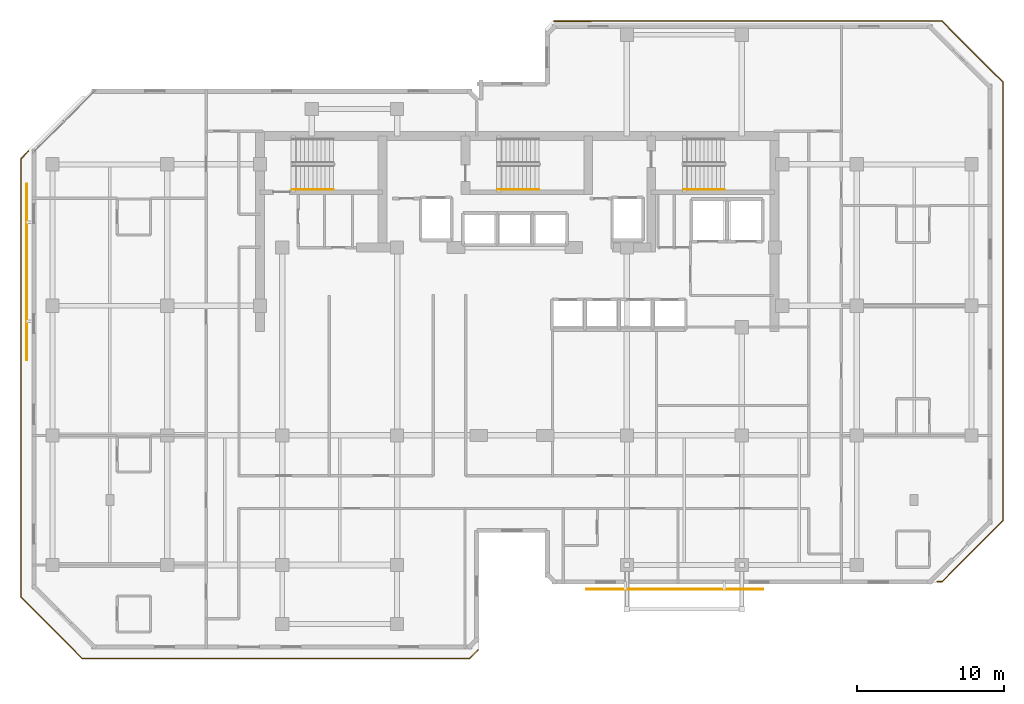
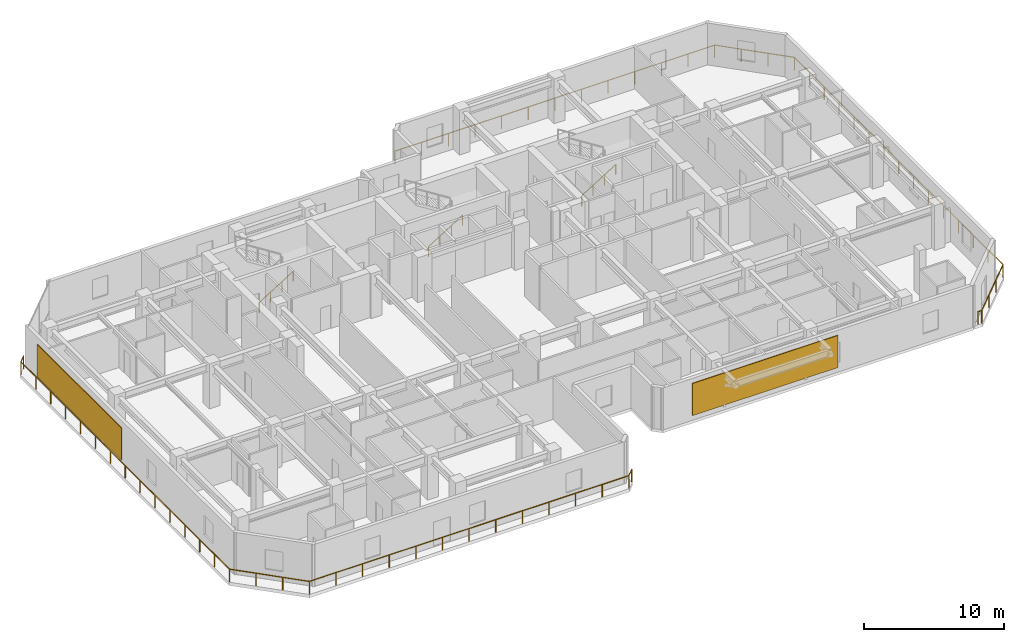
# One storey, part 9 of 10: 5 railings, 2 shading devices.
"""IFC4 building model written with IfcOpenShell, lengths in metres."""

from ifc_helpers import new_model, si_unit, direction, frame, origin, origin_2d, place, context, subcontext, project, spatial, rectangle, circle, extrude, material, layer, layer_set, type_object, element, save


model = new_model("IFC4")

# Units and contexts
model_context = context("Model", 3, precision=1e-05, world=origin(), true_north=direction((0.0, 1.0)))
body_context = subcontext(model_context, "Body", "Model", "MODEL_VIEW")
ifc_project = project(units=[si_unit("LENGTHUNIT", "METRE"), si_unit("AREAUNIT", "SQUARE_METRE"), si_unit("VOLUMEUNIT", "CUBIC_METRE"), si_unit("PLANEANGLEUNIT", "RADIAN"), si_unit("MASSUNIT", "GRAM", prefix="KILO")], contexts=[model_context])

# Site, building, storey
site_placement = place(None, origin())
site = spatial("IfcSite", under=ifc_project, at=site_placement, CompositionType="ELEMENT")
building_placement = place(site_placement, origin())
building = spatial("IfcBuilding", under=site, at=building_placement, Name="Kestravale Grand Hotel", CompositionType="ELEMENT")
storey_placement = place(building_placement, frame((0.0, 0.0, 189.0)))
storey = spatial("IfcBuildingStorey", under=building, at=storey_placement, Name="L47", CompositionType="ELEMENT", Elevation=189.0)

# Railings
ifc_material_1 = material(Name="Champagne-bronze stainless steel and laminated glass guard", Category="steel")
railing_type_1 = type_object("IfcRailingType", Name="RL-EXT-1100", PredefinedType="GUARDRAIL", material=ifc_material_1)
railing_1_placement = place(storey_placement, frame((36.68994140625, 5.4248046875, 0.0)))
element("IfcRailing", 1, at=railing_1_placement, inside=storey, type_object=railing_type_1, Name="L47 outdoor terrace guard 1", PredefinedType="GUARDRAIL", context=body_context, shape_type="SweptSolid", body=[
    extrude(circle(Radius=0.02392578125, at=origin_2d()), frame((0.0, 0.0, 1.09619140625), z_axis=(-0.707259586536, -0.706953942808, 0.0), x_axis=(0.706953942808, -0.707259586536, 0.0)), (0.0, 0.0, 1.0), 0.798828125),
    extrude(circle(Radius=0.02392578125, at=origin_2d()), frame((-0.56494140625, -0.564697265625, 1.09619140625), z_axis=(-1.0, 0.0, 0.0), x_axis=(0.0, -1.0, 0.0)), (0.0, 0.0, 1.0), 26.300048828125),
    extrude(circle(Radius=0.02392578125, at=origin_2d()), frame((-26.864990234375, -0.564697265625, 1.09619140625), z_axis=(-0.707127505605, 0.707086056161, 0.0), x_axis=(-0.707086056161, -0.707127505605, 0.0)), (0.0, 0.0, 1.0), 5.89013671875),
    extrude(circle(Radius=0.02392578125, at=origin_2d()), frame((-31.030029296875, 3.60009765625, 1.09619140625), z_axis=(0.0, 1.0, 0.0), x_axis=(-1.0, 0.0, 0.0)), (0.0, 0.0, 1.0), 29.750244140625),
    extrude(circle(Radius=0.02392578125, at=origin_2d()), frame((-31.030029296875, 33.350341796875, 1.09619140625), z_axis=(0.707106781187, 0.707106781187, 0.0), x_axis=(-0.707106781187, 0.707106781187, 0.0)), (0.0, 0.0, 1.0), 0.7353515625),
    extrude(circle(Radius=0.02099609375, at=origin_2d()), origin(), (0.0, 0.0, 1.0), 1.072021484375),
    extrude(circle(Radius=0.02099609375, at=origin_2d()), frame((-0.56494140625, -0.564697265625, 0.0)), (0.0, 0.0, 1.0), 1.072021484375),
    extrude(circle(Radius=0.02099609375, at=origin_2d()), frame((-2.756591796875, -0.564697265625, 0.0)), (0.0, 0.0, 1.0), 1.072021484375),
    extrude(circle(Radius=0.02099609375, at=origin_2d()), frame((-4.9482421875, -0.564697265625, 0.0)), (0.0, 0.0, 1.0), 1.072021484375),
    extrude(circle(Radius=0.02099609375, at=origin_2d()), frame((-7.139892578125, -0.564697265625, 0.0)), (0.0, 0.0, 1.0), 1.072021484375),
    extrude(circle(Radius=0.02099609375, at=origin_2d()), frame((-9.33154296875, -0.564697265625, 0.0)), (0.0, 0.0, 1.0), 1.072021484375),
    extrude(circle(Radius=0.02099609375, at=origin_2d()), frame((-11.523193359375, -0.564697265625, 0.0)), (0.0, 0.0, 1.0), 1.072021484375),
    extrude(circle(Radius=0.02099609375, at=origin_2d()), frame((-13.71484375, -0.564697265625, 0.0)), (0.0, 0.0, 1.0), 1.072021484375),
    extrude(circle(Radius=0.02099609375, at=origin_2d()), frame((-15.90673828125, -0.564697265625, 0.0)), (0.0, 0.0, 1.0), 1.072021484375),
    extrude(circle(Radius=0.02099609375, at=origin_2d()), frame((-18.098388671875, -0.564697265625, 0.0)), (0.0, 0.0, 1.0), 1.072021484375),
    extrude(circle(Radius=0.02099609375, at=origin_2d()), frame((-20.2900390625, -0.564697265625, 0.0)), (0.0, 0.0, 1.0), 1.072021484375),
    extrude(circle(Radius=0.02099609375, at=origin_2d()), frame((-22.481689453125, -0.564697265625, 0.0)), (0.0, 0.0, 1.0), 1.072021484375),
    extrude(circle(Radius=0.02099609375, at=origin_2d()), frame((-24.67333984375, -0.564697265625, 0.0)), (0.0, 0.0, 1.0), 1.072021484375),
    extrude(circle(Radius=0.02099609375, at=origin_2d()), frame((-26.864990234375, -0.564697265625, 0.0)), (0.0, 0.0, 1.0), 1.072021484375),
    extrude(circle(Radius=0.02099609375, at=origin_2d()), frame((-28.25341796875, 0.823486328125, 0.0)), (0.0, 0.0, 1.0), 1.072021484375),
    extrude(circle(Radius=0.02099609375, at=origin_2d()), frame((-29.6416015625, 2.2119140625, 0.0)), (0.0, 0.0, 1.0), 1.072021484375),
    extrude(circle(Radius=0.02099609375, at=origin_2d()), frame((-31.030029296875, 3.60009765625, 0.0)), (0.0, 0.0, 1.0), 1.072021484375),
    extrude(circle(Radius=0.02099609375, at=origin_2d()), frame((-31.030029296875, 5.72509765625, 0.0)), (0.0, 0.0, 1.0), 1.072021484375),
    extrude(circle(Radius=0.02099609375, at=origin_2d()), frame((-31.030029296875, 7.85009765625, 0.0)), (0.0, 0.0, 1.0), 1.072021484375),
    extrude(circle(Radius=0.02099609375, at=origin_2d()), frame((-31.030029296875, 9.97509765625, 0.0)), (0.0, 0.0, 1.0), 1.072021484375),
    extrude(circle(Radius=0.02099609375, at=origin_2d()), frame((-31.030029296875, 12.10009765625, 0.0)), (0.0, 0.0, 1.0), 1.072021484375),
    extrude(circle(Radius=0.02099609375, at=origin_2d()), frame((-31.030029296875, 14.22509765625, 0.0)), (0.0, 0.0, 1.0), 1.072021484375),
    extrude(circle(Radius=0.02099609375, at=origin_2d()), frame((-31.030029296875, 16.35009765625, 0.0)), (0.0, 0.0, 1.0), 1.072021484375),
    extrude(circle(Radius=0.02099609375, at=origin_2d()), frame((-31.030029296875, 18.47509765625, 0.0)), (0.0, 0.0, 1.0), 1.072021484375),
    extrude(circle(Radius=0.02099609375, at=origin_2d()), frame((-31.030029296875, 20.600341796875, 0.0)), (0.0, 0.0, 1.0), 1.072021484375),
    extrude(circle(Radius=0.02099609375, at=origin_2d()), frame((-31.030029296875, 22.725341796875, 0.0)), (0.0, 0.0, 1.0), 1.072021484375),
    extrude(circle(Radius=0.02099609375, at=origin_2d()), frame((-31.030029296875, 24.850341796875, 0.0)), (0.0, 0.0, 1.0), 1.072021484375),
    extrude(circle(Radius=0.02099609375, at=origin_2d()), frame((-31.030029296875, 26.975341796875, 0.0)), (0.0, 0.0, 1.0), 1.072021484375),
    extrude(circle(Radius=0.02099609375, at=origin_2d()), frame((-31.030029296875, 29.100341796875, 0.0)), (0.0, 0.0, 1.0), 1.072021484375),
    extrude(circle(Radius=0.02099609375, at=origin_2d()), frame((-31.030029296875, 31.225341796875, 0.0)), (0.0, 0.0, 1.0), 1.072021484375),
    extrude(circle(Radius=0.02099609375, at=origin_2d()), frame((-31.030029296875, 33.350341796875, 0.0)), (0.0, 0.0, 1.0), 1.072021484375),
    extrude(circle(Radius=0.02099609375, at=origin_2d()), frame((-30.510009765625, 33.870361328125, 0.0)), (0.0, 0.0, 1.0), 1.072021484375),
])
railing_2_placement = place(storey_placement, frame((41.85498046875, 48.1201171875, 0.0)))
element("IfcRailing", 2, at=railing_2_placement, inside=storey, type_object=railing_type_1, Name="L47 outdoor terrace guard 1", PredefinedType="GUARDRAIL", context=body_context, shape_type="SweptSolid", body=[
    extrude(circle(Radius=0.02392578125, at=origin_2d()), frame((0.0, 0.0, 1.09619140625), z_axis=(0.999999717742, 0.000751342465, 0.0), x_axis=(-0.000751342465, 0.999999717742, 0.0)), (0.0, 0.0, 1.0), 26.320068359375),
    extrude(circle(Radius=0.02392578125, at=origin_2d()), frame((26.320068359375, 0.019775390625, 1.09619140625), z_axis=(0.707127505605, -0.707086056161, 0.0), x_axis=(0.707086056161, 0.707127505605, 0.0)), (0.0, 0.0, 1.0), 5.89013671875),
    extrude(circle(Radius=0.02392578125, at=origin_2d()), frame((30.485107421875, -4.14501953125, 1.09619140625), z_axis=(0.0, -1.0, 0.0), x_axis=(1.0, 0.0, 0.0)), (0.0, 0.0, 1.0), 29.750244140625),
    extrude(circle(Radius=0.02392578125, at=origin_2d()), frame((30.485107421875, -33.895263671875, 1.09619140625), z_axis=(-0.707127505605, -0.707086056161, 0.0), x_axis=(0.707086056161, -0.707127505605, 0.0)), (0.0, 0.0, 1.0), 5.89013671875),
    extrude(circle(Radius=0.02392578125, at=origin_2d()), frame((26.320068359375, -38.06005859375, 1.09619140625), z_axis=(-1.0, 0.0, 0.0), x_axis=(0.0, -1.0, 0.0)), (0.0, 0.0, 1.0), 0.303955078125),
    extrude(circle(Radius=0.02099609375, at=origin_2d()), origin(), (0.0, 0.0, 1.0), 1.072021484375),
    extrude(circle(Radius=0.02099609375, at=origin_2d()), frame((2.193359375, 0.001708984375, 0.0)), (0.0, 0.0, 1.0), 1.072021484375),
    extrude(circle(Radius=0.02099609375, at=origin_2d()), frame((4.38671875, 0.00341796875, 0.0)), (0.0, 0.0, 1.0), 1.072021484375),
    extrude(circle(Radius=0.02099609375, at=origin_2d()), frame((6.580078125, 0.0048828125, 0.0)), (0.0, 0.0, 1.0), 1.072021484375),
    extrude(circle(Radius=0.02099609375, at=origin_2d()), frame((8.7734375, 0.006591796875, 0.0)), (0.0, 0.0, 1.0), 1.072021484375),
    extrude(circle(Radius=0.02099609375, at=origin_2d()), frame((10.966796875, 0.00830078125, 0.0)), (0.0, 0.0, 1.0), 1.072021484375),
    extrude(circle(Radius=0.02099609375, at=origin_2d()), frame((13.16015625, 0.009765625, 0.0)), (0.0, 0.0, 1.0), 1.072021484375),
    extrude(circle(Radius=0.02099609375, at=origin_2d()), frame((15.353271484375, 0.011474609375, 0.0)), (0.0, 0.0, 1.0), 1.072021484375),
    extrude(circle(Radius=0.02099609375, at=origin_2d()), frame((17.546630859375, 0.01318359375, 0.0)), (0.0, 0.0, 1.0), 1.072021484375),
    extrude(circle(Radius=0.02099609375, at=origin_2d()), frame((19.739990234375, 0.014892578125, 0.0)), (0.0, 0.0, 1.0), 1.072021484375),
    extrude(circle(Radius=0.02099609375, at=origin_2d()), frame((21.933349609375, 0.0166015625, 0.0)), (0.0, 0.0, 1.0), 1.072021484375),
    extrude(circle(Radius=0.02099609375, at=origin_2d()), frame((24.126708984375, 0.01806640625, 0.0)), (0.0, 0.0, 1.0), 1.072021484375),
    extrude(circle(Radius=0.02099609375, at=origin_2d()), frame((26.320068359375, 0.019775390625, 0.0)), (0.0, 0.0, 1.0), 1.072021484375),
    extrude(circle(Radius=0.02099609375, at=origin_2d()), frame((27.70849609375, -1.368408203125, 0.0)), (0.0, 0.0, 1.0), 1.072021484375),
    extrude(circle(Radius=0.02099609375, at=origin_2d()), frame((29.0966796875, -2.7568359375, 0.0)), (0.0, 0.0, 1.0), 1.072021484375),
    extrude(circle(Radius=0.02099609375, at=origin_2d()), frame((30.485107421875, -4.14501953125, 0.0)), (0.0, 0.0, 1.0), 1.072021484375),
    extrude(circle(Radius=0.02099609375, at=origin_2d()), frame((30.485107421875, -6.27001953125, 0.0)), (0.0, 0.0, 1.0), 1.072021484375),
    extrude(circle(Radius=0.02099609375, at=origin_2d()), frame((30.485107421875, -8.39501953125, 0.0)), (0.0, 0.0, 1.0), 1.072021484375),
    extrude(circle(Radius=0.02099609375, at=origin_2d()), frame((30.485107421875, -10.52001953125, 0.0)), (0.0, 0.0, 1.0), 1.072021484375),
    extrude(circle(Radius=0.02099609375, at=origin_2d()), frame((30.485107421875, -12.64501953125, 0.0)), (0.0, 0.0, 1.0), 1.072021484375),
    extrude(circle(Radius=0.02099609375, at=origin_2d()), frame((30.485107421875, -14.77001953125, 0.0)), (0.0, 0.0, 1.0), 1.072021484375),
    extrude(circle(Radius=0.02099609375, at=origin_2d()), frame((30.485107421875, -16.89501953125, 0.0)), (0.0, 0.0, 1.0), 1.072021484375),
    extrude(circle(Radius=0.02099609375, at=origin_2d()), frame((30.485107421875, -19.02001953125, 0.0)), (0.0, 0.0, 1.0), 1.072021484375),
    extrude(circle(Radius=0.02099609375, at=origin_2d()), frame((30.485107421875, -21.145263671875, 0.0)), (0.0, 0.0, 1.0), 1.072021484375),
    extrude(circle(Radius=0.02099609375, at=origin_2d()), frame((30.485107421875, -23.270263671875, 0.0)), (0.0, 0.0, 1.0), 1.072021484375),
    extrude(circle(Radius=0.02099609375, at=origin_2d()), frame((30.485107421875, -25.395263671875, 0.0)), (0.0, 0.0, 1.0), 1.072021484375),
    extrude(circle(Radius=0.02099609375, at=origin_2d()), frame((30.485107421875, -27.520263671875, 0.0)), (0.0, 0.0, 1.0), 1.072021484375),
    extrude(circle(Radius=0.02099609375, at=origin_2d()), frame((30.485107421875, -29.645263671875, 0.0)), (0.0, 0.0, 1.0), 1.072021484375),
    extrude(circle(Radius=0.02099609375, at=origin_2d()), frame((30.485107421875, -31.770263671875, 0.0)), (0.0, 0.0, 1.0), 1.072021484375),
    extrude(circle(Radius=0.02099609375, at=origin_2d()), frame((30.485107421875, -33.895263671875, 0.0)), (0.0, 0.0, 1.0), 1.072021484375),
    extrude(circle(Radius=0.02099609375, at=origin_2d()), frame((29.0966796875, -35.283447265625, 0.0)), (0.0, 0.0, 1.0), 1.072021484375),
    extrude(circle(Radius=0.02099609375, at=origin_2d()), frame((27.70849609375, -36.671875, 0.0)), (0.0, 0.0, 1.0), 1.072021484375),
    extrude(circle(Radius=0.02099609375, at=origin_2d()), frame((26.320068359375, -38.06005859375, 0.0)), (0.0, 0.0, 1.0), 1.072021484375),
    extrude(circle(Radius=0.02099609375, at=origin_2d()), frame((26.01611328125, -38.06005859375, 0.0)), (0.0, 0.0, 1.0), 1.072021484375),
])
ifc_material_2 = material(Name="Brushed stainless steel wall handrail", Category="steel")
railing_type_2 = type_object("IfcRailingType", Name="RL-ST-HND900", PredefinedType="HANDRAIL", material=ifc_material_2)
railing_3_placement = place(storey_placement, frame((24.080078125, 36.699951171875, 0.17724609375)))
element("IfcRailing", 3, at=railing_3_placement, inside=storey, type_object=railing_type_2, Name="L47 ST-1 stair handrail 1", PredefinedType="HANDRAIL", context=body_context, shape_type="SweptSolid", body=[
    extrude(circle(Radius=0.02392578125, at=origin_2d()), frame((0.0, 0.0, 0.8759765625), z_axis=(0.844887892834, 0.0, 0.53494340686), x_axis=(0.0, 1.0, 0.0)), (0.0, 0.0, 1.0), 3.313720703125),
    extrude(circle(Radius=0.02099609375, at=origin_2d()), origin(), (0.0, 0.0, 1.0), 0.851806640625),
    extrude(circle(Radius=0.02099609375, at=origin_2d()), frame((0.933349609375, 0.0, 0.5908203125)), (0.0, 0.0, 1.0), 0.851806640625),
    extrude(circle(Radius=0.02099609375, at=origin_2d()), frame((1.866455078125, 0.0, 1.181884765625)), (0.0, 0.0, 1.0), 0.851806640625),
    extrude(circle(Radius=0.02099609375, at=origin_2d()), frame((2.7998046875, 0.0, 1.772705078125)), (0.0, 0.0, 1.0), 0.851806640625),
])
for number, where, name in (
    (4, (38.030029296875, 36.699951171875, 0.17724609375), "L47 ST-2 stair handrail 1"),
    (5, (50.6298828125, 36.699951171875, 0.17724609375), "L47 ST-3 stair handrail 1"),
):
    element("IfcRailing", number, at=place(storey_placement, frame(where)), inside=storey, type_object=railing_type_2, Name=name, PredefinedType="HANDRAIL", context=body_context, shape_type="SweptSolid", body=[
        extrude(circle(Radius=0.02392578125, at=origin_2d()), frame((0.0, 0.0, 0.8759765625), z_axis=(0.844908973607, 0.0, 0.534910110503), x_axis=(0.0, 1.0, 0.0)), (0.0, 0.0, 1.0), 3.31396484375),
        extrude(circle(Radius=0.02099609375, at=origin_2d()), origin(), (0.0, 0.0, 1.0), 0.851806640625),
        extrude(circle(Radius=0.02099609375, at=origin_2d()), frame((0.933349609375, 0.0, 0.5908203125)), (0.0, 0.0, 1.0), 0.851806640625),
        extrude(circle(Radius=0.02099609375, at=origin_2d()), frame((1.86669921875, 0.0, 1.181884765625)), (0.0, 0.0, 1.0), 0.851806640625),
        extrude(circle(Radius=0.02099609375, at=origin_2d()), frame((2.800048828125, 0.0, 1.772705078125)), (0.0, 0.0, 1.0), 0.851806640625),
    ])

# Shading devices
ifc_material_3 = material(Name="Perforated champagne-bronze aluminium and ceramic solar screen", Category="aluminium")
ifc_layer = layer(ifc_material_3, 0.06494140625)
ifc_layer_set = layer_set([ifc_layer], Name="SHD-SCR-CHEV")
shading_device_type = type_object("IfcShadingDeviceType", Name="SHD-SCR-CHEV", PredefinedType="USERDEFINED", material=ifc_layer_set)
for number, where, z_axis, x_axis, name in (
    (6, (50.050048828125, 9.56005859375, 0.7001953125), (0.0, 0.0, 1.0), (1.0, 0.0, 0.0), "L47 Perforated bronze ceramic chevron solar screen SCR-L47-07"),
    (7, (6.06005859375, 31.10009765625, 0.7001953125), (0.0, 0.0, 1.0), (0.0, -1.0, 0.0), "L47 Perforated bronze ceramic chevron solar screen SCR-L47-19"),
):
    element("IfcShadingDevice", number, at=place(storey_placement, frame(where, z_axis=z_axis, x_axis=x_axis)), inside=storey, type_object=shading_device_type, Name=name, ObjectType="SCREEN", PredefinedType="USERDEFINED", context=body_context, shape_type="SweptSolid", body=[
        extrude(rectangle(XDim=12.0, YDim=0.06494140625, at=origin_2d()), origin(), (0.0, 0.0, 1.0), 2.800048828125),
    ])

save(model, "model.ifc")
